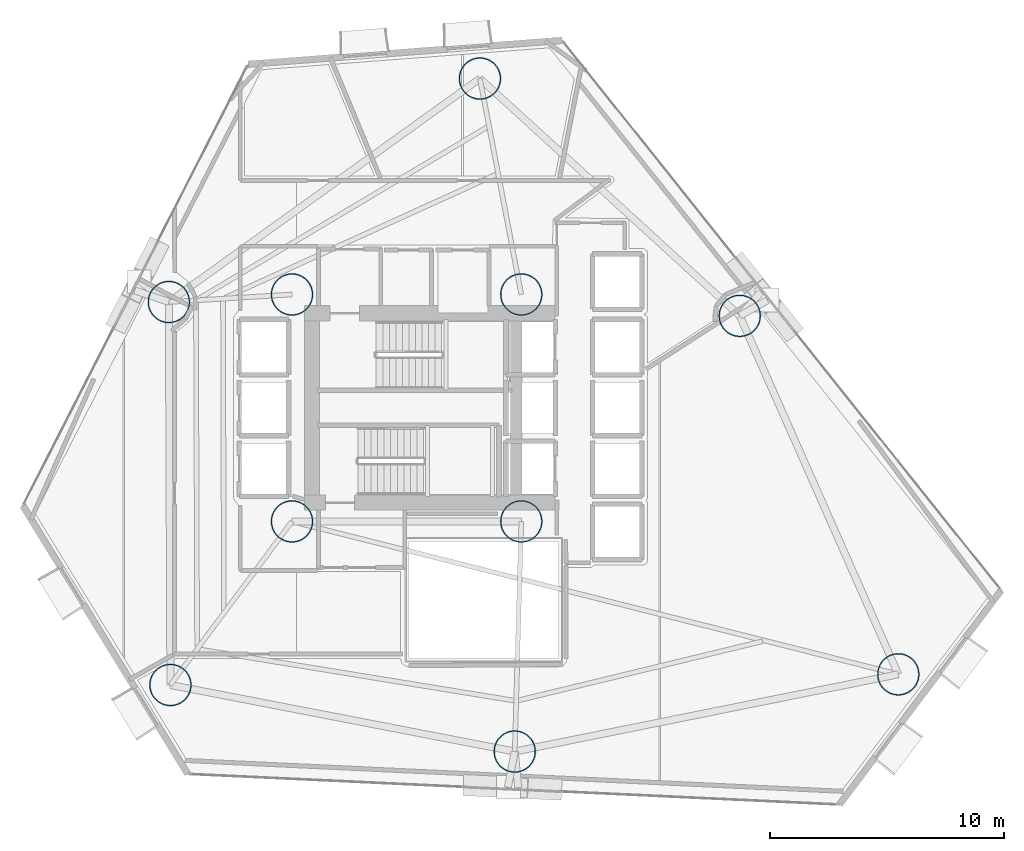
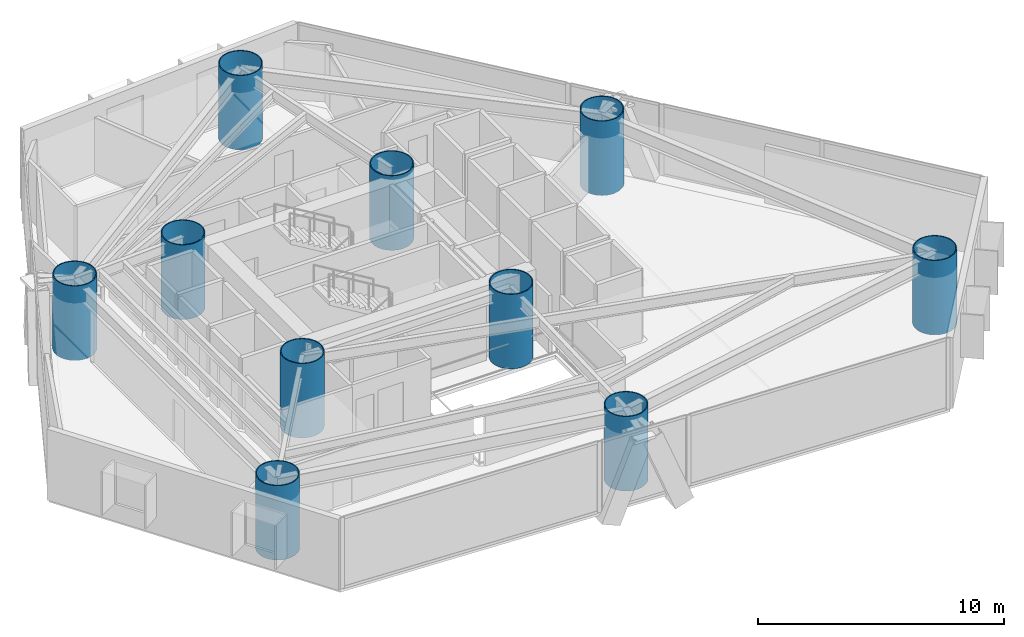
# One storey, part 1 of 23: 10 columns.
"""IFC4 building model written with IfcOpenShell, lengths in metres."""

from ifc_helpers import new_model, si_unit, direction, frame, origin, origin_2d, place, context, subcontext, project, spatial, hollow_circle, extrude, material, material_profile, profile_set, type_object, element, save


model = new_model("IFC4")

# Units and contexts
model_context = context("Model", 3, precision=1e-05, world=origin(), true_north=direction((0.0, 1.0)))
body_context = subcontext(model_context, "Body", "Model", "MODEL_VIEW")
ifc_project = project(units=[si_unit("LENGTHUNIT", "METRE"), si_unit("AREAUNIT", "SQUARE_METRE"), si_unit("VOLUMEUNIT", "CUBIC_METRE"), si_unit("PLANEANGLEUNIT", "RADIAN"), si_unit("MASSUNIT", "GRAM", prefix="KILO")], contexts=[model_context])

# Site, building, storey
site_placement = place(None, origin())
site = spatial("IfcSite", under=ifc_project, at=site_placement, CompositionType="ELEMENT")
building_placement = place(site_placement, origin())
building = spatial("IfcBuilding", under=site, at=building_placement, Name="Qianvela Tower", CompositionType="ELEMENT")
storey_placement = place(building_placement, frame((0.0, 0.0, 29.39990234375)))
storey = spatial("IfcBuildingStorey", under=building, at=storey_placement, Name="L06", CompositionType="ELEMENT", Elevation=29.39990234375)

# Columns
ifc_material = material(Name="Steel Q420GJC", Category="steel")
ifc_material_profile = material_profile(ifc_material, hollow_circle(Radius=0.89990234375, WallThickness=0.044921875, at=origin_2d()), Name="CFT-1800x45")
ifc_profile_set = profile_set([ifc_material_profile], Name="Steel Q420GJC")
column_type = type_object("IfcColumnType", Name="COL-CFT-1800x45", PredefinedType="COLUMN", material=ifc_profile_set)
for number, where, z_axis, x_axis, name in (
    (1, (28.60009765625, 33.550048828125, 0.0), (0.0, 0.0, 1.0), (1.0, 0.0, 0.0), "L06 Core Corner Mega-Column CC-NW"),
    (2, (28.60009765625, 23.85009765625, 0.0), (0.0, 0.0, 1.0), (1.0, 0.0, 0.0), "L06 Core Corner Mega-Column CC-SW"),
    (3, (38.39990234375, 33.550048828125, 0.0), (0.0, 0.0, 1.0), (1.0, 0.0, 0.0), "L06 Core Corner Mega-Column CC-NE"),
    (4, (38.39990234375, 23.85009765625, 0.0), (0.0, 0.0, 1.0), (1.0, 0.0, 0.0), "L06 Core Corner Mega-Column CC-SE"),
    (5, (54.511962890625, 17.31689453125, 0.0), (0.0, 0.0, 1.0), (1.0, 0.0, 0.0), "L06 Zone Z1 CFT Mega-Column C1"),
    (6, (47.736083984375, 32.636962890625, 0.0), (0.0, 0.0, 1.0), (1.0, 0.0, 0.0), "L06 Zone Z1 CFT Mega-Column C2"),
    (7, (36.632080078125, 42.778076171875, 0.0), (0.0, 0.0, 1.0), (1.0, 0.0, 0.0), "L06 Zone Z1 CFT Mega-Column C3"),
    (8, (23.337890625, 33.22802734375, 0.0), (0.0, 0.0, 1.0), (1.0, 0.0, 0.0), "L06 Zone Z1 CFT Mega-Column C4"),
    (9, (23.404052734375, 16.860107421875, 0.0), (0.0, 0.0, 1.0), (1.0, 0.0, 0.0), "L06 Zone Z1 CFT Mega-Column C5"),
    (10, (38.1201171875, 14.01611328125, 0.0), (0.0, 0.0, 1.0), (1.0, 0.0, 0.0), "L06 Zone Z1 CFT Mega-Column C6"),
):
    element("IfcColumn", number, at=place(storey_placement, frame(where, z_axis=z_axis, x_axis=x_axis)), inside=storey, type_object=column_type, Name=name, PredefinedType="COLUMN", context=body_context, shape_type="SweptSolid", body=[
        extrude(hollow_circle(Radius=0.89990234375, WallThickness=0.044921875, at=origin_2d()), origin(), (0.0, 0.0, 1.0), 3.7001953125),
    ])

save(model, "model.ifc")
